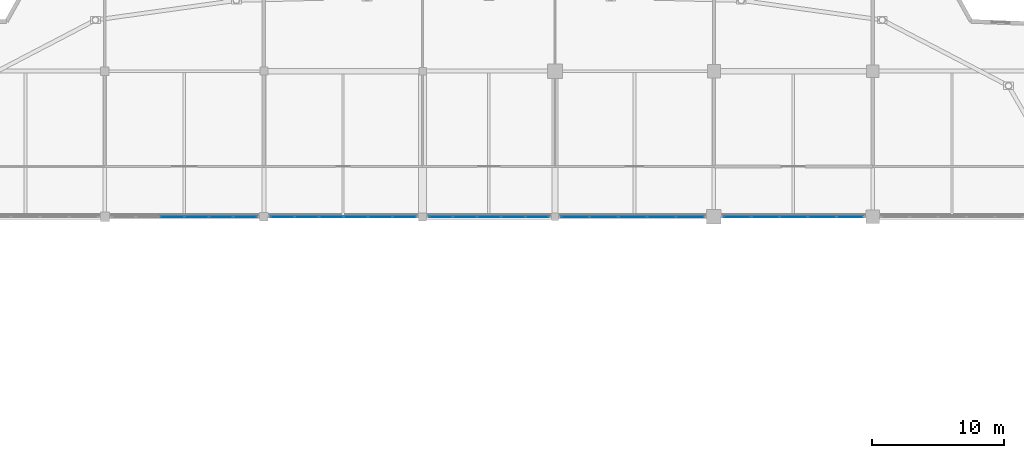
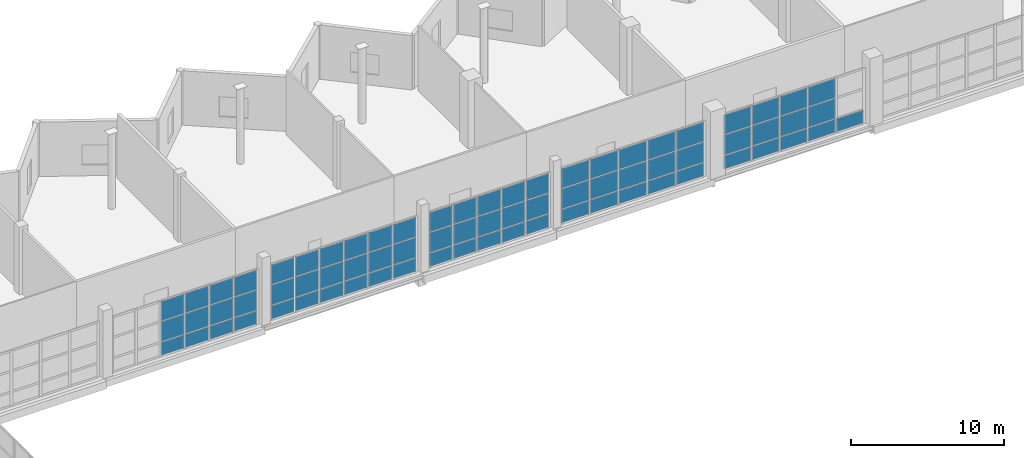
# One storey, part 34 of 49: 73 plates, 5 elements without a shape of their own.
"""IFC4 building model written with IfcOpenShell, lengths in metres."""

import ifcopenshell
import ifcopenshell.guid

model = None  # the IFC model being written
_history = None  # IfcOwnerHistory: only IFC2X3 demands one
_inside = {}  # id of a spatial element -> (the spatial element, [elements in it])
_under = {}  # id of a project, library or spatial element -> (it, [spatial elements below it])
_declared = {}  # id of a project -> (the project, [libraries it declares])
_typed = {}  # id of a type object -> (the type object, [elements of that type])
_made_of = {}  # id of a material, layer set ... -> (it, [elements and type objects made of it])


def new_model(schema):
    """Start an empty IFC model of exactly this schema.

    Asked for "IFC4X3", IfcOpenShell would pick the latest addendum, in which some entities
    have other attributes; the version numbers below select the first issue.
    IFC2X3 requires an IfcOwnerHistory on every rooted entity: one is made here for all.
    """
    global model, _history
    if schema == "IFC4X3":
        model = ifcopenshell.file(schema_version=(4, 3, 0, 0))
    else:
        model = ifcopenshell.file(schema=schema)
    _inside.clear()
    _under.clear()
    _declared.clear()
    _typed.clear()
    _made_of.clear()
    _history = None
    if model.schema == "IFC2X3":
        org = make("IfcOrganization", Name="unknown")
        user = make(
            "IfcPersonAndOrganization",
            ThePerson=make("IfcPerson", FamilyName="unknown"),
            TheOrganization=org,
        )
        app = make(
            "IfcApplication",
            ApplicationDeveloper=org,
            Version="unknown",
            ApplicationFullName="unknown",
            ApplicationIdentifier="unknown",
        )
        _history = make(
            "IfcOwnerHistory",
            OwningUser=user,
            OwningApplication=app,
            ChangeAction="ADDED",
            CreationDate=0,
        )
    return model


def make(cls, **values):
    """One entity of the class cls with the attributes given. An attribute that is None is left unset."""
    return model.create_entity(
        cls, **{name: value for name, value in values.items() if value is not None}
    )


def rooted(cls, **values):
    """An entity with a GlobalId (a new one), such as an element, a storey or a relation."""
    return make(cls, GlobalId=ifcopenshell.guid.new(), OwnerHistory=_history, **values)


def si_unit(unit_type, name, prefix=None):
    """IfcSIUnit, for example si_unit("LENGTHUNIT", "METRE", prefix="MILLI")."""
    return make("IfcSIUnit", UnitType=unit_type, Prefix=prefix, Name=name)


def assignment(units):
    """IfcUnitAssignment: the units of a project."""
    return None if units is None else make("IfcUnitAssignment", Units=units)


def point(xyz):
    """IfcCartesianPoint."""
    return None if xyz is None else make("IfcCartesianPoint", Coordinates=xyz)


def direction(xyz):
    """IfcDirection."""
    return None if xyz is None else make("IfcDirection", DirectionRatios=xyz)


def frame(location, z_axis=None, x_axis=None):
    """IfcAxis2Placement3D, a coordinate frame: its origin and axes. An axis left out is left unset."""
    return make(
        "IfcAxis2Placement3D",
        Location=point(location),
        Axis=direction(z_axis),
        RefDirection=direction(x_axis),
    )


def frame_2d(location, x_axis=None):
    """IfcAxis2Placement2D, a coordinate frame in the plane: its origin and x axis."""
    return make(
        "IfcAxis2Placement2D", Location=point(location), RefDirection=direction(x_axis)
    )


def origin():
    """The frame at (0, 0, 0) with its axes left unset."""
    return frame((0.0, 0.0, 0.0))


def origin_2d():
    """The frame at (0, 0) in the plane with its x axis left unset."""
    return frame_2d((0.0, 0.0))


def place(relative_to, where):
    """IfcLocalPlacement: puts the frame where relative to a parent placement (None: the world)."""
    return make(
        "IfcLocalPlacement", PlacementRelTo=relative_to, RelativePlacement=where
    )


def context(
    kind, dimensions, precision=None, world=None, true_north=None, identifier=None
):
    """IfcGeometricRepresentationContext, for example the 3D "Model" context."""
    return make(
        "IfcGeometricRepresentationContext",
        ContextIdentifier=identifier,
        ContextType=kind,
        CoordinateSpaceDimension=dimensions,
        Precision=precision,
        WorldCoordinateSystem=world,
        TrueNorth=true_north,
    )


def subcontext(parent, identifier, kind, view, scale=None):
    """IfcGeometricRepresentationSubContext, for example "Body" below "Model"."""
    return make(
        "IfcGeometricRepresentationSubContext",
        ContextIdentifier=identifier,
        ContextType=kind,
        ParentContext=parent,
        TargetScale=scale,
        TargetView=view,
    )


def project(units=None, contexts=None):
    """IfcProject with its units and contexts."""
    return rooted(
        "IfcProject",
        Name="project",
        RepresentationContexts=contexts,
        UnitsInContext=assignment(units),
    )


def spatial(cls, under=None, at=None, **own):
    """A site, building, storey or space (cls), placed at a placement, below another one or the project."""
    s = rooted(cls, ObjectPlacement=at, **own)
    if under is not None:
        _under.setdefault(under.id(), (under, []))[1].append(s)
    return s


def profile(cls, at=None, kind="AREA", **sizes):
    """A parametric profile (cls). Its sizes go by their IFC names, for example OverallWidth=200.0."""
    return make(cls, ProfileType=kind, Position=at, **sizes)


def rectangle(**sizes):
    """IfcRectangleProfileDef."""
    return profile("IfcRectangleProfileDef", **sizes)


def extrude(swept, where, along, depth):
    """IfcExtrudedAreaSolid: the profile swept, set in the frame where, extruded along a direction by depth."""
    return make(
        "IfcExtrudedAreaSolid",
        SweptArea=swept,
        Position=where,
        ExtrudedDirection=direction(along),
        Depth=depth,
    )


def shape(context_of_items, identifier, shape_type, items):
    """IfcShapeRepresentation: the items that make up one representation, for example the "Body"."""
    return make(
        "IfcShapeRepresentation",
        ContextOfItems=context_of_items,
        RepresentationIdentifier=identifier,
        RepresentationType=shape_type,
        Items=items,
    )


def material(Name=None, Category=None):
    """IfcMaterial."""
    return make("IfcMaterial", Name=Name, Category=Category)


def layer(
    of_material, thickness, ventilated=None, Name=None, Category=None, Priority=None
):
    """IfcMaterialLayer: one layer of a wall or slab, of a material (None: an air gap)."""
    return make(
        "IfcMaterialLayer",
        Material=of_material,
        LayerThickness=thickness,
        IsVentilated=ventilated,
        Name=Name,
        Category=Category,
        Priority=Priority,
    )


def layer_set(layers, Name=None):
    """IfcMaterialLayerSet."""
    return make("IfcMaterialLayerSet", MaterialLayers=layers, LayerSetName=Name)


def made_of(thing, what):
    """Note that an element or type object is made of a material, layer set ...; save() writes the relation."""
    if what is not None:
        _made_of.setdefault(what.id(), (what, []))[1].append(thing)
    return thing


def type_object(cls, material=None, **own):
    """A type object (cls), such as IfcWallType, which elements share."""
    return made_of(rooted(cls, **own), material)


def element(
    cls,
    number,
    at=None,
    inside=None,
    cuts=None,
    type_object=None,
    material=None,
    context=None,
    identifier="Body",
    shape_type=None,
    held_by="IfcProductDefinitionShape",
    body=None,
    shapes=None,
    **own,
):
    """One element of the class cls, such as IfcWall. Its Tag is "e" and its number.

    at: its placement. inside: the storey or other place that contains it. cuts: it is an
    opening in that element (IfcRelVoidsElement). A single representation is given by context,
    identifier, shape_type and body (its items); several are given by shapes. held_by: the class
    of the entity that holds the representations. save() writes the other relations.
    """
    e = rooted(cls, Tag="e%d" % number, ObjectPlacement=at, **own)
    if body is not None:
        shapes = [shape(context, identifier, shape_type, body)]
    if shapes is not None:
        e.Representation = make(held_by, Representations=shapes)
    if inside is not None:
        _inside.setdefault(inside.id(), (inside, []))[1].append(e)
    if cuts is not None:
        rooted(
            "IfcRelVoidsElement", RelatingBuildingElement=cuts, RelatedOpeningElement=e
        )
    if type_object is not None:
        _typed.setdefault(type_object.id(), (type_object, []))[1].append(e)
    return made_of(e, material)


def aggregate(whole, parts):
    """IfcRelAggregates: a whole, such as a stair, and the parts it consists of."""
    return rooted("IfcRelAggregates", RelatingObject=whole, RelatedObjects=parts)


def save(model, path):
    """Write the relations noted so far, then the file.

    IfcRelAggregates (storeys below a building ...), IfcRelContainedInSpatialStructure (elements
    in a storey), IfcRelDefinesByType, IfcRelAssociatesMaterial and IfcRelDeclares: one each for
    every whole, place, type object, material and project.
    """
    for whole, parts in _under.values():
        aggregate(whole, parts)
    for where, things in _inside.values():
        rooted(
            "IfcRelContainedInSpatialStructure",
            RelatedElements=things,
            RelatingStructure=where,
        )
    for kind, things in _typed.values():
        rooted("IfcRelDefinesByType", RelatedObjects=things, RelatingType=kind)
    for what, things in _made_of.values():
        rooted("IfcRelAssociatesMaterial", RelatedObjects=things, RelatingMaterial=what)
    for by, libraries in _declared.values():
        rooted("IfcRelDeclares", RelatingContext=by, RelatedDefinitions=libraries)
    model.write(path)


model = new_model("IFC4")

# Units and contexts
model_context = context("Model", 3, precision=1e-05, world=origin(), true_north=direction((0.0, 1.0)))
body_context = subcontext(model_context, "Body", "Model", "MODEL_VIEW")
ifc_project = project(units=[si_unit("LENGTHUNIT", "METRE"), si_unit("AREAUNIT", "SQUARE_METRE"), si_unit("VOLUMEUNIT", "CUBIC_METRE"), si_unit("PLANEANGLEUNIT", "RADIAN"), si_unit("MASSUNIT", "GRAM", prefix="KILO")], contexts=[model_context])

# Site, building, storey
site_placement = place(None, origin())
site = spatial("IfcSite", under=ifc_project, at=site_placement, CompositionType="ELEMENT")
building_placement = place(site_placement, origin())
building = spatial("IfcBuilding", under=site, at=building_placement, Name="Luwafu Chhajja Arena", CompositionType="ELEMENT")
storey_placement = place(building_placement, frame((0.0, 0.0, 24.300048828125)))
storey = spatial("IfcBuildingStorey", under=building, at=storey_placement, Name="L05", CompositionType="ELEMENT", Elevation=24.300048828125)

# Curtain wall, plates
ifc_material_1 = material(Name="Anodised bronze aluminium", Category="aluminium")
curtain_wall_type = type_object("IfcCurtainWallType", Name="VIP Club Terrace Curtain Wall", PredefinedType="USERDEFINED", material=ifc_material_1)
curtain_wall_1_placement = place(storey_placement, origin())
curtain_wall_1 = element("IfcCurtainWall", 1, at=curtain_wall_1_placement, inside=storey, type_object=curtain_wall_type, Name="L05 Bowl Viewing Curtain Wall CWR-L05-09", ObjectType="CURTAIN WALL", PredefinedType="USERDEFINED")
ifc_material_2 = material(Name="Solar-control laminated glass", Category="glass")
ifc_layer = layer(ifc_material_2, 0.035888671875, Name="Solar-control laminated glass")
ifc_layer_set = layer_set([ifc_layer], Name="Solar-control laminated glass")
plate_type = type_object("IfcPlateType", Name="Acoustic Broadcast Double Glazed CW Panel 36", PredefinedType="CURTAIN_PANEL", material=ifc_layer_set)
plate_1_placement = place(storey_placement, frame((75.092041015625, 77.0, 0.06494140625), z_axis=(0.0, 0.0, 1.0), x_axis=(1.0, 0.0, 0.0)))
plate_1 = element("IfcPlate", 2, at=plate_1_placement, type_object=plate_type, Name="CW-10 panel 3.1", PredefinedType="CURTAIN_PANEL", context=body_context, shape_type="SweptSolid", body=[
    extrude(rectangle(XDim=1.77587890625, YDim=0.035888671875, at=origin_2d()), origin(), (0.0, 0.0, 1.0), 1.052490234375),
])
plate_2_placement = place(storey_placement, frame((75.092041015625, 77.0, 1.182373046875), z_axis=(0.0, 0.0, 1.0), x_axis=(1.0, 0.0, 0.0)))
plate_2 = element("IfcPlate", 3, at=plate_2_placement, type_object=plate_type, Name="CW-10 panel 3.2", PredefinedType="CURTAIN_PANEL", context=body_context, shape_type="SweptSolid", body=[
    extrude(rectangle(XDim=1.77587890625, YDim=0.035888671875, at=origin_2d()), origin(), (0.0, 0.0, 1.0), 1.5849609375),
])
plate_3_placement = place(storey_placement, frame((75.092041015625, 77.0, 2.83251953125), z_axis=(0.0, 0.0, 1.0), x_axis=(1.0, 0.0, 0.0)))
plate_3 = element("IfcPlate", 4, at=plate_3_placement, type_object=plate_type, Name="CW-10 panel 3.3", PredefinedType="CURTAIN_PANEL", context=body_context, shape_type="SweptSolid", body=[
    extrude(rectangle(XDim=1.77587890625, YDim=0.035888671875, at=origin_2d()), origin(), (0.0, 0.0, 1.0), 1.552490234375),
])
plate_4_placement = place(storey_placement, frame((76.932861328125, 77.0, 0.06494140625), z_axis=(0.0, 0.0, 1.0), x_axis=(1.0, 0.0, 0.0)))
plate_4 = element("IfcPlate", 5, at=plate_4_placement, type_object=plate_type, Name="CW-10 panel 4.1", PredefinedType="CURTAIN_PANEL", context=body_context, shape_type="SweptSolid", body=[
    extrude(rectangle(XDim=1.77587890625, YDim=0.035888671875, at=origin_2d()), origin(), (0.0, 0.0, 1.0), 1.052490234375),
])
plate_5_placement = place(storey_placement, frame((76.932861328125, 77.0, 1.182373046875), z_axis=(0.0, 0.0, 1.0), x_axis=(1.0, 0.0, 0.0)))
plate_5 = element("IfcPlate", 6, at=plate_5_placement, type_object=plate_type, Name="CW-10 panel 4.2", PredefinedType="CURTAIN_PANEL", context=body_context, shape_type="SweptSolid", body=[
    extrude(rectangle(XDim=1.77587890625, YDim=0.035888671875, at=origin_2d()), origin(), (0.0, 0.0, 1.0), 1.5849609375),
])
plate_6_placement = place(storey_placement, frame((76.932861328125, 77.0, 2.83251953125), z_axis=(0.0, 0.0, 1.0), x_axis=(1.0, 0.0, 0.0)))
plate_6 = element("IfcPlate", 7, at=plate_6_placement, type_object=plate_type, Name="CW-10 panel 4.3", PredefinedType="CURTAIN_PANEL", context=body_context, shape_type="SweptSolid", body=[
    extrude(rectangle(XDim=1.77587890625, YDim=0.035888671875, at=origin_2d()), origin(), (0.0, 0.0, 1.0), 1.552490234375),
])
plate_7_placement = place(storey_placement, frame((78.773681640625, 77.0, 0.06494140625), z_axis=(0.0, 0.0, 1.0), x_axis=(1.0, 0.0, 0.0)))
plate_7 = element("IfcPlate", 8, at=plate_7_placement, type_object=plate_type, Name="CW-10 panel 5.1", PredefinedType="CURTAIN_PANEL", context=body_context, shape_type="SweptSolid", body=[
    extrude(rectangle(XDim=1.77587890625, YDim=0.035888671875, at=origin_2d()), origin(), (0.0, 0.0, 1.0), 1.052490234375),
])
plate_8_placement = place(storey_placement, frame((78.773681640625, 77.0, 1.182373046875), z_axis=(0.0, 0.0, 1.0), x_axis=(1.0, 0.0, 0.0)))
plate_8 = element("IfcPlate", 9, at=plate_8_placement, type_object=plate_type, Name="CW-10 panel 5.2", PredefinedType="CURTAIN_PANEL", context=body_context, shape_type="SweptSolid", body=[
    extrude(rectangle(XDim=1.77587890625, YDim=0.035888671875, at=origin_2d()), origin(), (0.0, 0.0, 1.0), 1.5849609375),
])
plate_9_placement = place(storey_placement, frame((78.773681640625, 77.0, 2.83251953125), z_axis=(0.0, 0.0, 1.0), x_axis=(1.0, 0.0, 0.0)))
plate_9 = element("IfcPlate", 10, at=plate_9_placement, type_object=plate_type, Name="CW-10 panel 5.3", PredefinedType="CURTAIN_PANEL", context=body_context, shape_type="SweptSolid", body=[
    extrude(rectangle(XDim=1.77587890625, YDim=0.035888671875, at=origin_2d()), origin(), (0.0, 0.0, 1.0), 1.552490234375),
])
plate_10_placement = place(storey_placement, frame((80.598388671875, 77.0, 0.06494140625), z_axis=(0.0, 0.0, 1.0), x_axis=(1.0, 0.0, 0.0)))
plate_10 = element("IfcPlate", 11, at=plate_10_placement, type_object=plate_type, Name="CW-10 panel 6.1", PredefinedType="CURTAIN_PANEL", context=body_context, shape_type="SweptSolid", body=[
    extrude(rectangle(XDim=1.743408203125, YDim=0.035888671875, at=origin_2d()), origin(), (0.0, 0.0, 1.0), 1.052490234375),
])
plate_11_placement = place(storey_placement, frame((80.598388671875, 77.0, 1.182373046875), z_axis=(0.0, 0.0, 1.0), x_axis=(1.0, 0.0, 0.0)))
plate_11 = element("IfcPlate", 12, at=plate_11_placement, type_object=plate_type, Name="CW-10 panel 6.2", PredefinedType="CURTAIN_PANEL", context=body_context, shape_type="SweptSolid", body=[
    extrude(rectangle(XDim=1.743408203125, YDim=0.035888671875, at=origin_2d()), origin(), (0.0, 0.0, 1.0), 1.5849609375),
])
plate_12_placement = place(storey_placement, frame((80.598388671875, 77.0, 2.83251953125), z_axis=(0.0, 0.0, 1.0), x_axis=(1.0, 0.0, 0.0)))
plate_12 = element("IfcPlate", 13, at=plate_12_placement, type_object=plate_type, Name="CW-10 panel 6.3", PredefinedType="CURTAIN_PANEL", context=body_context, shape_type="SweptSolid", body=[
    extrude(rectangle(XDim=1.743408203125, YDim=0.035888671875, at=origin_2d()), origin(), (0.0, 0.0, 1.0), 1.552490234375),
])
aggregate(curtain_wall_1, [plate_1, plate_2, plate_3, plate_4, plate_5, plate_6, plate_7, plate_8, plate_9, plate_10, plate_11, plate_12])

curtain_wall_2_placement = place(storey_placement, origin())
curtain_wall_2 = element("IfcCurtainWall", 14, at=curtain_wall_2_placement, inside=storey, type_object=curtain_wall_type, Name="L05 Bowl Viewing Curtain Wall CWR-L05-10", ObjectType="CURTAIN WALL", PredefinedType="USERDEFINED")
plate_13_placement = place(storey_placement, frame((83.40576171875, 77.0, 0.06494140625), z_axis=(0.0, 0.0, 1.0), x_axis=(1.0, 0.0, 0.0)))
plate_13 = element("IfcPlate", 15, at=plate_13_placement, type_object=plate_type, Name="CW-10 panel 1.1", PredefinedType="CURTAIN_PANEL", context=body_context, shape_type="SweptSolid", body=[
    extrude(rectangle(XDim=1.751708984375, YDim=0.035888671875, at=origin_2d()), origin(), (0.0, 0.0, 1.0), 1.052490234375),
])
plate_14_placement = place(storey_placement, frame((83.40576171875, 77.0, 1.182373046875), z_axis=(0.0, 0.0, 1.0), x_axis=(1.0, 0.0, 0.0)))
plate_14 = element("IfcPlate", 16, at=plate_14_placement, type_object=plate_type, Name="CW-10 panel 1.2", PredefinedType="CURTAIN_PANEL", context=body_context, shape_type="SweptSolid", body=[
    extrude(rectangle(XDim=1.751708984375, YDim=0.035888671875, at=origin_2d()), origin(), (0.0, 0.0, 1.0), 1.5849609375),
])
plate_15_placement = place(storey_placement, frame((83.40576171875, 77.0, 2.83251953125), z_axis=(0.0, 0.0, 1.0), x_axis=(1.0, 0.0, 0.0)))
plate_15 = element("IfcPlate", 17, at=plate_15_placement, type_object=plate_type, Name="CW-10 panel 1.3", PredefinedType="CURTAIN_PANEL", context=body_context, shape_type="SweptSolid", body=[
    extrude(rectangle(XDim=1.751708984375, YDim=0.035888671875, at=origin_2d()), origin(), (0.0, 0.0, 1.0), 1.552490234375),
])
plate_16_placement = place(storey_placement, frame((85.23876953125, 77.0, 0.06494140625), z_axis=(0.0, 0.0, 1.0), x_axis=(1.0, 0.0, 0.0)))
plate_16 = element("IfcPlate", 18, at=plate_16_placement, type_object=plate_type, Name="CW-10 panel 2.1", PredefinedType="CURTAIN_PANEL", context=body_context, shape_type="SweptSolid", body=[
    extrude(rectangle(XDim=1.7841796875, YDim=0.035888671875, at=origin_2d()), origin(), (0.0, 0.0, 1.0), 1.052490234375),
])
plate_17_placement = place(storey_placement, frame((85.23876953125, 77.0, 1.182373046875), z_axis=(0.0, 0.0, 1.0), x_axis=(1.0, 0.0, 0.0)))
plate_17 = element("IfcPlate", 19, at=plate_17_placement, type_object=plate_type, Name="CW-10 panel 2.2", PredefinedType="CURTAIN_PANEL", context=body_context, shape_type="SweptSolid", body=[
    extrude(rectangle(XDim=1.7841796875, YDim=0.035888671875, at=origin_2d()), origin(), (0.0, 0.0, 1.0), 1.5849609375),
])
plate_18_placement = place(storey_placement, frame((85.23876953125, 77.0, 2.83251953125), z_axis=(0.0, 0.0, 1.0), x_axis=(1.0, 0.0, 0.0)))
plate_18 = element("IfcPlate", 20, at=plate_18_placement, type_object=plate_type, Name="CW-10 panel 2.3", PredefinedType="CURTAIN_PANEL", context=body_context, shape_type="SweptSolid", body=[
    extrude(rectangle(XDim=1.7841796875, YDim=0.035888671875, at=origin_2d()), origin(), (0.0, 0.0, 1.0), 1.552490234375),
])
plate_19_placement = place(storey_placement, frame((87.087890625, 77.0, 0.06494140625), z_axis=(0.0, 0.0, 1.0), x_axis=(1.0, 0.0, 0.0)))
plate_19 = element("IfcPlate", 21, at=plate_19_placement, type_object=plate_type, Name="CW-10 panel 3.1", PredefinedType="CURTAIN_PANEL", context=body_context, shape_type="SweptSolid", body=[
    extrude(rectangle(XDim=1.7841796875, YDim=0.035888671875, at=origin_2d()), origin(), (0.0, 0.0, 1.0), 1.052490234375),
])
plate_20_placement = place(storey_placement, frame((87.087890625, 77.0, 1.182373046875), z_axis=(0.0, 0.0, 1.0), x_axis=(1.0, 0.0, 0.0)))
plate_20 = element("IfcPlate", 22, at=plate_20_placement, type_object=plate_type, Name="CW-10 panel 3.2", PredefinedType="CURTAIN_PANEL", context=body_context, shape_type="SweptSolid", body=[
    extrude(rectangle(XDim=1.7841796875, YDim=0.035888671875, at=origin_2d()), origin(), (0.0, 0.0, 1.0), 1.5849609375),
])
plate_21_placement = place(storey_placement, frame((87.087890625, 77.0, 2.83251953125), z_axis=(0.0, 0.0, 1.0), x_axis=(1.0, 0.0, 0.0)))
plate_21 = element("IfcPlate", 23, at=plate_21_placement, type_object=plate_type, Name="CW-10 panel 3.3", PredefinedType="CURTAIN_PANEL", context=body_context, shape_type="SweptSolid", body=[
    extrude(rectangle(XDim=1.7841796875, YDim=0.035888671875, at=origin_2d()), origin(), (0.0, 0.0, 1.0), 1.552490234375),
])
plate_22_placement = place(storey_placement, frame((88.93701171875, 77.0, 0.06494140625), z_axis=(0.0, 0.0, 1.0), x_axis=(1.0, 0.0, 0.0)))
plate_22 = element("IfcPlate", 24, at=plate_22_placement, type_object=plate_type, Name="CW-10 panel 4.1", PredefinedType="CURTAIN_PANEL", context=body_context, shape_type="SweptSolid", body=[
    extrude(rectangle(XDim=1.7841796875, YDim=0.035888671875, at=origin_2d()), origin(), (0.0, 0.0, 1.0), 1.052490234375),
])
plate_23_placement = place(storey_placement, frame((88.93701171875, 77.0, 1.182373046875), z_axis=(0.0, 0.0, 1.0), x_axis=(1.0, 0.0, 0.0)))
plate_23 = element("IfcPlate", 25, at=plate_23_placement, type_object=plate_type, Name="CW-10 panel 4.2", PredefinedType="CURTAIN_PANEL", context=body_context, shape_type="SweptSolid", body=[
    extrude(rectangle(XDim=1.7841796875, YDim=0.035888671875, at=origin_2d()), origin(), (0.0, 0.0, 1.0), 1.5849609375),
])
plate_24_placement = place(storey_placement, frame((88.93701171875, 77.0, 2.83251953125), z_axis=(0.0, 0.0, 1.0), x_axis=(1.0, 0.0, 0.0)))
plate_24 = element("IfcPlate", 26, at=plate_24_placement, type_object=plate_type, Name="CW-10 panel 4.3", PredefinedType="CURTAIN_PANEL", context=body_context, shape_type="SweptSolid", body=[
    extrude(rectangle(XDim=1.7841796875, YDim=0.035888671875, at=origin_2d()), origin(), (0.0, 0.0, 1.0), 1.552490234375),
])
plate_25_placement = place(storey_placement, frame((90.7861328125, 77.0, 0.06494140625), z_axis=(0.0, 0.0, 1.0), x_axis=(1.0, 0.0, 0.0)))
plate_25 = element("IfcPlate", 27, at=plate_25_placement, type_object=plate_type, Name="CW-10 panel 5.1", PredefinedType="CURTAIN_PANEL", context=body_context, shape_type="SweptSolid", body=[
    extrude(rectangle(XDim=1.7841796875, YDim=0.035888671875, at=origin_2d()), origin(), (0.0, 0.0, 1.0), 1.052490234375),
])
plate_26_placement = place(storey_placement, frame((90.7861328125, 77.0, 1.182373046875), z_axis=(0.0, 0.0, 1.0), x_axis=(1.0, 0.0, 0.0)))
plate_26 = element("IfcPlate", 28, at=plate_26_placement, type_object=plate_type, Name="CW-10 panel 5.2", PredefinedType="CURTAIN_PANEL", context=body_context, shape_type="SweptSolid", body=[
    extrude(rectangle(XDim=1.7841796875, YDim=0.035888671875, at=origin_2d()), origin(), (0.0, 0.0, 1.0), 1.5849609375),
])
plate_27_placement = place(storey_placement, frame((90.7861328125, 77.0, 2.83251953125), z_axis=(0.0, 0.0, 1.0), x_axis=(1.0, 0.0, 0.0)))
plate_27 = element("IfcPlate", 29, at=plate_27_placement, type_object=plate_type, Name="CW-10 panel 5.3", PredefinedType="CURTAIN_PANEL", context=body_context, shape_type="SweptSolid", body=[
    extrude(rectangle(XDim=1.7841796875, YDim=0.035888671875, at=origin_2d()), origin(), (0.0, 0.0, 1.0), 1.552490234375),
])
plate_28_placement = place(storey_placement, frame((92.619140625, 77.0, 0.06494140625), z_axis=(0.0, 0.0, 1.0), x_axis=(1.0, 0.0, 0.0)))
plate_28 = element("IfcPlate", 30, at=plate_28_placement, type_object=plate_type, Name="CW-10 panel 6.1", PredefinedType="CURTAIN_PANEL", context=body_context, shape_type="SweptSolid", body=[
    extrude(rectangle(XDim=1.751708984375, YDim=0.035888671875, at=origin_2d()), origin(), (0.0, 0.0, 1.0), 1.052490234375),
])
plate_29_placement = place(storey_placement, frame((92.619140625, 77.0, 1.182373046875), z_axis=(0.0, 0.0, 1.0), x_axis=(1.0, 0.0, 0.0)))
plate_29 = element("IfcPlate", 31, at=plate_29_placement, type_object=plate_type, Name="CW-10 panel 6.2", PredefinedType="CURTAIN_PANEL", context=body_context, shape_type="SweptSolid", body=[
    extrude(rectangle(XDim=1.751708984375, YDim=0.035888671875, at=origin_2d()), origin(), (0.0, 0.0, 1.0), 1.5849609375),
])
plate_30_placement = place(storey_placement, frame((92.619140625, 77.0, 2.83251953125), z_axis=(0.0, 0.0, 1.0), x_axis=(1.0, 0.0, 0.0)))
plate_30 = element("IfcPlate", 32, at=plate_30_placement, type_object=plate_type, Name="CW-10 panel 6.3", PredefinedType="CURTAIN_PANEL", context=body_context, shape_type="SweptSolid", body=[
    extrude(rectangle(XDim=1.751708984375, YDim=0.035888671875, at=origin_2d()), origin(), (0.0, 0.0, 1.0), 1.552490234375),
])
aggregate(curtain_wall_2, [plate_13, plate_14, plate_15, plate_16, plate_17, plate_18, plate_19, plate_20, plate_21, plate_22, plate_23, plate_24, plate_25, plate_26, plate_27, plate_28, plate_29, plate_30])

curtain_wall_3_placement = place(storey_placement, origin())
curtain_wall_3 = element("IfcCurtainWall", 33, at=curtain_wall_3_placement, inside=storey, type_object=curtain_wall_type, Name="L05 Bowl Viewing Curtain Wall CWR-L05-11", ObjectType="CURTAIN WALL", PredefinedType="USERDEFINED")
plate_31_placement = place(storey_placement, frame((95.370849609375, 77.0, 0.06494140625), z_axis=(0.0, 0.0, 1.0), x_axis=(1.0, 0.0, 0.0)))
plate_31 = element("IfcPlate", 34, at=plate_31_placement, type_object=plate_type, Name="CW-10 panel 1.1", PredefinedType="CURTAIN_PANEL", context=body_context, shape_type="SweptSolid", body=[
    extrude(rectangle(XDim=1.7314453125, YDim=0.035888671875, at=origin_2d()), origin(), (0.0, 0.0, 1.0), 1.052490234375),
])
plate_32_placement = place(storey_placement, frame((95.370849609375, 77.0, 1.182373046875), z_axis=(0.0, 0.0, 1.0), x_axis=(1.0, 0.0, 0.0)))
plate_32 = element("IfcPlate", 35, at=plate_32_placement, type_object=plate_type, Name="CW-10 panel 1.2", PredefinedType="CURTAIN_PANEL", context=body_context, shape_type="SweptSolid", body=[
    extrude(rectangle(XDim=1.7314453125, YDim=0.035888671875, at=origin_2d()), origin(), (0.0, 0.0, 1.0), 1.5849609375),
])
plate_33_placement = place(storey_placement, frame((95.370849609375, 77.0, 2.83251953125), z_axis=(0.0, 0.0, 1.0), x_axis=(1.0, 0.0, 0.0)))
plate_33 = element("IfcPlate", 36, at=plate_33_placement, type_object=plate_type, Name="CW-10 panel 1.3", PredefinedType="CURTAIN_PANEL", context=body_context, shape_type="SweptSolid", body=[
    extrude(rectangle(XDim=1.7314453125, YDim=0.035888671875, at=origin_2d()), origin(), (0.0, 0.0, 1.0), 1.552490234375),
])
plate_34_placement = place(storey_placement, frame((97.18359375, 77.0, 0.06494140625), z_axis=(0.0, 0.0, 1.0), x_axis=(1.0, 0.0, 0.0)))
plate_34 = element("IfcPlate", 37, at=plate_34_placement, type_object=plate_type, Name="CW-10 panel 2.1", PredefinedType="CURTAIN_PANEL", context=body_context, shape_type="SweptSolid", body=[
    extrude(rectangle(XDim=1.763916015625, YDim=0.035888671875, at=origin_2d()), origin(), (0.0, 0.0, 1.0), 1.052490234375),
])
plate_35_placement = place(storey_placement, frame((97.18359375, 77.0, 1.182373046875), z_axis=(0.0, 0.0, 1.0), x_axis=(1.0, 0.0, 0.0)))
plate_35 = element("IfcPlate", 38, at=plate_35_placement, type_object=plate_type, Name="CW-10 panel 2.2", PredefinedType="CURTAIN_PANEL", context=body_context, shape_type="SweptSolid", body=[
    extrude(rectangle(XDim=1.763916015625, YDim=0.035888671875, at=origin_2d()), origin(), (0.0, 0.0, 1.0), 1.5849609375),
])
plate_36_placement = place(storey_placement, frame((97.18359375, 77.0, 2.83251953125), z_axis=(0.0, 0.0, 1.0), x_axis=(1.0, 0.0, 0.0)))
plate_36 = element("IfcPlate", 39, at=plate_36_placement, type_object=plate_type, Name="CW-10 panel 2.3", PredefinedType="CURTAIN_PANEL", context=body_context, shape_type="SweptSolid", body=[
    extrude(rectangle(XDim=1.763916015625, YDim=0.035888671875, at=origin_2d()), origin(), (0.0, 0.0, 1.0), 1.552490234375),
])
plate_37_placement = place(storey_placement, frame((99.012451171875, 77.0, 0.06494140625), z_axis=(0.0, 0.0, 1.0), x_axis=(1.0, 0.0, 0.0)))
plate_37 = element("IfcPlate", 40, at=plate_37_placement, type_object=plate_type, Name="CW-10 panel 3.1", PredefinedType="CURTAIN_PANEL", context=body_context, shape_type="SweptSolid", body=[
    extrude(rectangle(XDim=1.763916015625, YDim=0.035888671875, at=origin_2d()), origin(), (0.0, 0.0, 1.0), 1.052490234375),
])
plate_38_placement = place(storey_placement, frame((99.012451171875, 77.0, 1.182373046875), z_axis=(0.0, 0.0, 1.0), x_axis=(1.0, 0.0, 0.0)))
plate_38 = element("IfcPlate", 41, at=plate_38_placement, type_object=plate_type, Name="CW-10 panel 3.2", PredefinedType="CURTAIN_PANEL", context=body_context, shape_type="SweptSolid", body=[
    extrude(rectangle(XDim=1.763916015625, YDim=0.035888671875, at=origin_2d()), origin(), (0.0, 0.0, 1.0), 1.5849609375),
])
plate_39_placement = place(storey_placement, frame((99.012451171875, 77.0, 2.83251953125), z_axis=(0.0, 0.0, 1.0), x_axis=(1.0, 0.0, 0.0)))
plate_39 = element("IfcPlate", 42, at=plate_39_placement, type_object=plate_type, Name="CW-10 panel 3.3", PredefinedType="CURTAIN_PANEL", context=body_context, shape_type="SweptSolid", body=[
    extrude(rectangle(XDim=1.763916015625, YDim=0.035888671875, at=origin_2d()), origin(), (0.0, 0.0, 1.0), 1.552490234375),
])
plate_40_placement = place(storey_placement, frame((100.841552734375, 77.0, 0.06494140625), z_axis=(0.0, 0.0, 1.0), x_axis=(1.0, 0.0, 0.0)))
plate_40 = element("IfcPlate", 43, at=plate_40_placement, type_object=plate_type, Name="CW-10 panel 4.1", PredefinedType="CURTAIN_PANEL", context=body_context, shape_type="SweptSolid", body=[
    extrude(rectangle(XDim=1.763916015625, YDim=0.035888671875, at=origin_2d()), origin(), (0.0, 0.0, 1.0), 1.052490234375),
])
plate_41_placement = place(storey_placement, frame((100.841552734375, 77.0, 1.182373046875), z_axis=(0.0, 0.0, 1.0), x_axis=(1.0, 0.0, 0.0)))
plate_41 = element("IfcPlate", 44, at=plate_41_placement, type_object=plate_type, Name="CW-10 panel 4.2", PredefinedType="CURTAIN_PANEL", context=body_context, shape_type="SweptSolid", body=[
    extrude(rectangle(XDim=1.763916015625, YDim=0.035888671875, at=origin_2d()), origin(), (0.0, 0.0, 1.0), 1.5849609375),
])
plate_42_placement = place(storey_placement, frame((100.841552734375, 77.0, 2.83251953125), z_axis=(0.0, 0.0, 1.0), x_axis=(1.0, 0.0, 0.0)))
plate_42 = element("IfcPlate", 45, at=plate_42_placement, type_object=plate_type, Name="CW-10 panel 4.3", PredefinedType="CURTAIN_PANEL", context=body_context, shape_type="SweptSolid", body=[
    extrude(rectangle(XDim=1.763916015625, YDim=0.035888671875, at=origin_2d()), origin(), (0.0, 0.0, 1.0), 1.552490234375),
])
plate_43_placement = place(storey_placement, frame((102.654296875, 77.0, 0.06494140625), z_axis=(0.0, 0.0, 1.0), x_axis=(1.0, 0.0, 0.0)))
plate_43 = element("IfcPlate", 46, at=plate_43_placement, type_object=plate_type, Name="CW-10 panel 5.1", PredefinedType="CURTAIN_PANEL", context=body_context, shape_type="SweptSolid", body=[
    extrude(rectangle(XDim=1.7314453125, YDim=0.035888671875, at=origin_2d()), origin(), (0.0, 0.0, 1.0), 1.052490234375),
])
plate_44_placement = place(storey_placement, frame((102.654296875, 77.0, 1.182373046875), z_axis=(0.0, 0.0, 1.0), x_axis=(1.0, 0.0, 0.0)))
plate_44 = element("IfcPlate", 47, at=plate_44_placement, type_object=plate_type, Name="CW-10 panel 5.2", PredefinedType="CURTAIN_PANEL", context=body_context, shape_type="SweptSolid", body=[
    extrude(rectangle(XDim=1.7314453125, YDim=0.035888671875, at=origin_2d()), origin(), (0.0, 0.0, 1.0), 1.5849609375),
])
plate_45_placement = place(storey_placement, frame((102.654296875, 77.0, 2.83251953125), z_axis=(0.0, 0.0, 1.0), x_axis=(1.0, 0.0, 0.0)))
plate_45 = element("IfcPlate", 48, at=plate_45_placement, type_object=plate_type, Name="CW-10 panel 5.3", PredefinedType="CURTAIN_PANEL", context=body_context, shape_type="SweptSolid", body=[
    extrude(rectangle(XDim=1.7314453125, YDim=0.035888671875, at=origin_2d()), origin(), (0.0, 0.0, 1.0), 1.552490234375),
])
aggregate(curtain_wall_3, [plate_31, plate_32, plate_33, plate_34, plate_35, plate_36, plate_37, plate_38, plate_39, plate_40, plate_41, plate_42, plate_43, plate_44, plate_45])

curtain_wall_4_placement = place(storey_placement, origin())
curtain_wall_4 = element("IfcCurtainWall", 49, at=curtain_wall_4_placement, inside=storey, type_object=curtain_wall_type, Name="L05 Bowl Viewing Curtain Wall CWR-L05-12", ObjectType="CURTAIN WALL", PredefinedType="USERDEFINED")
plate_46_placement = place(storey_placement, frame((105.520751953125, 77.0, 0.06494140625), z_axis=(0.0, 0.0, 1.0), x_axis=(1.0, 0.0, 0.0)))
plate_46 = element("IfcPlate", 50, at=plate_46_placement, type_object=plate_type, Name="CW-10 panel 1.1", PredefinedType="CURTAIN_PANEL", context=body_context, shape_type="SweptSolid", body=[
    extrude(rectangle(XDim=2.08154296875, YDim=0.035888671875, at=origin_2d()), origin(), (0.0, 0.0, 1.0), 1.052490234375),
])
plate_47_placement = place(storey_placement, frame((105.520751953125, 77.0, 1.182373046875), z_axis=(0.0, 0.0, 1.0), x_axis=(1.0, 0.0, 0.0)))
plate_47 = element("IfcPlate", 51, at=plate_47_placement, type_object=plate_type, Name="CW-10 panel 1.2", PredefinedType="CURTAIN_PANEL", context=body_context, shape_type="SweptSolid", body=[
    extrude(rectangle(XDim=2.08154296875, YDim=0.035888671875, at=origin_2d()), origin(), (0.0, 0.0, 1.0), 1.5849609375),
])
plate_48_placement = place(storey_placement, frame((105.520751953125, 77.0, 2.83251953125), z_axis=(0.0, 0.0, 1.0), x_axis=(1.0, 0.0, 0.0)))
plate_48 = element("IfcPlate", 52, at=plate_48_placement, type_object=plate_type, Name="CW-10 panel 1.3", PredefinedType="CURTAIN_PANEL", context=body_context, shape_type="SweptSolid", body=[
    extrude(rectangle(XDim=2.08154296875, YDim=0.035888671875, at=origin_2d()), origin(), (0.0, 0.0, 1.0), 1.552490234375),
])
plate_49_placement = place(storey_placement, frame((107.68359375, 77.0, 0.06494140625), z_axis=(0.0, 0.0, 1.0), x_axis=(1.0, 0.0, 0.0)))
plate_49 = element("IfcPlate", 53, at=plate_49_placement, type_object=plate_type, Name="CW-10 panel 2.1", PredefinedType="CURTAIN_PANEL", context=body_context, shape_type="SweptSolid", body=[
    extrude(rectangle(XDim=2.114013671875, YDim=0.035888671875, at=origin_2d()), origin(), (0.0, 0.0, 1.0), 1.052490234375),
])
plate_50_placement = place(storey_placement, frame((107.68359375, 77.0, 1.182373046875), z_axis=(0.0, 0.0, 1.0), x_axis=(1.0, 0.0, 0.0)))
plate_50 = element("IfcPlate", 54, at=plate_50_placement, type_object=plate_type, Name="CW-10 panel 2.2", PredefinedType="CURTAIN_PANEL", context=body_context, shape_type="SweptSolid", body=[
    extrude(rectangle(XDim=2.114013671875, YDim=0.035888671875, at=origin_2d()), origin(), (0.0, 0.0, 1.0), 1.5849609375),
])
plate_51_placement = place(storey_placement, frame((107.68359375, 77.0, 2.83251953125), z_axis=(0.0, 0.0, 1.0), x_axis=(1.0, 0.0, 0.0)))
plate_51 = element("IfcPlate", 55, at=plate_51_placement, type_object=plate_type, Name="CW-10 panel 2.3", PredefinedType="CURTAIN_PANEL", context=body_context, shape_type="SweptSolid", body=[
    extrude(rectangle(XDim=2.114013671875, YDim=0.035888671875, at=origin_2d()), origin(), (0.0, 0.0, 1.0), 1.552490234375),
])
plate_52_placement = place(storey_placement, frame((109.862548828125, 77.0, 0.06494140625), z_axis=(0.0, 0.0, 1.0), x_axis=(1.0, 0.0, 0.0)))
plate_52 = element("IfcPlate", 56, at=plate_52_placement, type_object=plate_type, Name="CW-10 panel 3.1", PredefinedType="CURTAIN_PANEL", context=body_context, shape_type="SweptSolid", body=[
    extrude(rectangle(XDim=2.114013671875, YDim=0.035888671875, at=origin_2d()), origin(), (0.0, 0.0, 1.0), 1.052490234375),
])
plate_53_placement = place(storey_placement, frame((109.862548828125, 77.0, 1.182373046875), z_axis=(0.0, 0.0, 1.0), x_axis=(1.0, 0.0, 0.0)))
plate_53 = element("IfcPlate", 57, at=plate_53_placement, type_object=plate_type, Name="CW-10 panel 3.2", PredefinedType="CURTAIN_PANEL", context=body_context, shape_type="SweptSolid", body=[
    extrude(rectangle(XDim=2.114013671875, YDim=0.035888671875, at=origin_2d()), origin(), (0.0, 0.0, 1.0), 1.5849609375),
])
plate_54_placement = place(storey_placement, frame((109.862548828125, 77.0, 2.83251953125), z_axis=(0.0, 0.0, 1.0), x_axis=(1.0, 0.0, 0.0)))
plate_54 = element("IfcPlate", 58, at=plate_54_placement, type_object=plate_type, Name="CW-10 panel 3.3", PredefinedType="CURTAIN_PANEL", context=body_context, shape_type="SweptSolid", body=[
    extrude(rectangle(XDim=2.114013671875, YDim=0.035888671875, at=origin_2d()), origin(), (0.0, 0.0, 1.0), 1.552490234375),
])
plate_55_placement = place(storey_placement, frame((112.04150390625, 77.0, 0.06494140625), z_axis=(0.0, 0.0, 1.0), x_axis=(1.0, 0.0, 0.0)))
plate_55 = element("IfcPlate", 59, at=plate_55_placement, type_object=plate_type, Name="CW-10 panel 4.1", PredefinedType="CURTAIN_PANEL", context=body_context, shape_type="SweptSolid", body=[
    extrude(rectangle(XDim=2.114013671875, YDim=0.035888671875, at=origin_2d()), origin(), (0.0, 0.0, 1.0), 1.052490234375),
])
plate_56_placement = place(storey_placement, frame((112.04150390625, 77.0, 1.182373046875), z_axis=(0.0, 0.0, 1.0), x_axis=(1.0, 0.0, 0.0)))
plate_56 = element("IfcPlate", 60, at=plate_56_placement, type_object=plate_type, Name="CW-10 panel 4.2", PredefinedType="CURTAIN_PANEL", context=body_context, shape_type="SweptSolid", body=[
    extrude(rectangle(XDim=2.114013671875, YDim=0.035888671875, at=origin_2d()), origin(), (0.0, 0.0, 1.0), 1.5849609375),
])
plate_57_placement = place(storey_placement, frame((112.04150390625, 77.0, 2.83251953125), z_axis=(0.0, 0.0, 1.0), x_axis=(1.0, 0.0, 0.0)))
plate_57 = element("IfcPlate", 61, at=plate_57_placement, type_object=plate_type, Name="CW-10 panel 4.3", PredefinedType="CURTAIN_PANEL", context=body_context, shape_type="SweptSolid", body=[
    extrude(rectangle(XDim=2.114013671875, YDim=0.035888671875, at=origin_2d()), origin(), (0.0, 0.0, 1.0), 1.552490234375),
])
plate_58_placement = place(storey_placement, frame((114.204345703125, 77.0, 0.06494140625), z_axis=(0.0, 0.0, 1.0), x_axis=(1.0, 0.0, 0.0)))
plate_58 = element("IfcPlate", 62, at=plate_58_placement, type_object=plate_type, Name="CW-10 panel 5.1", PredefinedType="CURTAIN_PANEL", context=body_context, shape_type="SweptSolid", body=[
    extrude(rectangle(XDim=2.08154296875, YDim=0.035888671875, at=origin_2d()), origin(), (0.0, 0.0, 1.0), 1.052490234375),
])
plate_59_placement = place(storey_placement, frame((114.204345703125, 77.0, 1.182373046875), z_axis=(0.0, 0.0, 1.0), x_axis=(1.0, 0.0, 0.0)))
plate_59 = element("IfcPlate", 63, at=plate_59_placement, type_object=plate_type, Name="CW-10 panel 5.2", PredefinedType="CURTAIN_PANEL", context=body_context, shape_type="SweptSolid", body=[
    extrude(rectangle(XDim=2.08154296875, YDim=0.035888671875, at=origin_2d()), origin(), (0.0, 0.0, 1.0), 1.5849609375),
])
plate_60_placement = place(storey_placement, frame((114.204345703125, 77.0, 2.83251953125), z_axis=(0.0, 0.0, 1.0), x_axis=(1.0, 0.0, 0.0)))
plate_60 = element("IfcPlate", 64, at=plate_60_placement, type_object=plate_type, Name="CW-10 panel 5.3", PredefinedType="CURTAIN_PANEL", context=body_context, shape_type="SweptSolid", body=[
    extrude(rectangle(XDim=2.08154296875, YDim=0.035888671875, at=origin_2d()), origin(), (0.0, 0.0, 1.0), 1.552490234375),
])
aggregate(curtain_wall_4, [plate_46, plate_47, plate_48, plate_49, plate_50, plate_51, plate_52, plate_53, plate_54, plate_55, plate_56, plate_57, plate_58, plate_59, plate_60])

curtain_wall_5_placement = place(storey_placement, origin())
curtain_wall_5 = element("IfcCurtainWall", 65, at=curtain_wall_5_placement, inside=storey, type_object=curtain_wall_type, Name="L05 Bowl Viewing Curtain Wall CWR-L05-13", ObjectType="CURTAIN WALL", PredefinedType="USERDEFINED")
plate_61_placement = place(storey_placement, frame((117.773193359375, 77.0, 0.06494140625), z_axis=(0.0, 0.0, 1.0), x_axis=(1.0, 0.0, 0.0)))
plate_61 = element("IfcPlate", 66, at=plate_61_placement, type_object=plate_type, Name="CW-10 panel 1.1", PredefinedType="CURTAIN_PANEL", context=body_context, shape_type="SweptSolid", body=[
    extrude(rectangle(XDim=2.03662109375, YDim=0.035888671875, at=origin_2d()), origin(), (0.0, 0.0, 1.0), 1.052490234375),
])
plate_62_placement = place(storey_placement, frame((117.773193359375, 77.0, 1.182373046875), z_axis=(0.0, 0.0, 1.0), x_axis=(1.0, 0.0, 0.0)))
plate_62 = element("IfcPlate", 67, at=plate_62_placement, type_object=plate_type, Name="CW-10 panel 1.2", PredefinedType="CURTAIN_PANEL", context=body_context, shape_type="SweptSolid", body=[
    extrude(rectangle(XDim=2.03662109375, YDim=0.035888671875, at=origin_2d()), origin(), (0.0, 0.0, 1.0), 1.5849609375),
])
plate_63_placement = place(storey_placement, frame((117.773193359375, 77.0, 2.83251953125), z_axis=(0.0, 0.0, 1.0), x_axis=(1.0, 0.0, 0.0)))
plate_63 = element("IfcPlate", 68, at=plate_63_placement, type_object=plate_type, Name="CW-10 panel 1.3", PredefinedType="CURTAIN_PANEL", context=body_context, shape_type="SweptSolid", body=[
    extrude(rectangle(XDim=2.03662109375, YDim=0.035888671875, at=origin_2d()), origin(), (0.0, 0.0, 1.0), 1.552490234375),
])
plate_64_placement = place(storey_placement, frame((119.89111328125, 77.0, 0.06494140625), z_axis=(0.0, 0.0, 1.0), x_axis=(1.0, 0.0, 0.0)))
plate_64 = element("IfcPlate", 69, at=plate_64_placement, type_object=plate_type, Name="CW-10 panel 2.1", PredefinedType="CURTAIN_PANEL", context=body_context, shape_type="SweptSolid", body=[
    extrude(rectangle(XDim=2.069091796875, YDim=0.035888671875, at=origin_2d()), origin(), (0.0, 0.0, 1.0), 1.052490234375),
])
plate_65_placement = place(storey_placement, frame((119.89111328125, 77.0, 1.182373046875), z_axis=(0.0, 0.0, 1.0), x_axis=(1.0, 0.0, 0.0)))
plate_65 = element("IfcPlate", 70, at=plate_65_placement, type_object=plate_type, Name="CW-10 panel 2.2", PredefinedType="CURTAIN_PANEL", context=body_context, shape_type="SweptSolid", body=[
    extrude(rectangle(XDim=2.069091796875, YDim=0.035888671875, at=origin_2d()), origin(), (0.0, 0.0, 1.0), 1.5849609375),
])
plate_66_placement = place(storey_placement, frame((119.89111328125, 77.0, 2.83251953125), z_axis=(0.0, 0.0, 1.0), x_axis=(1.0, 0.0, 0.0)))
plate_66 = element("IfcPlate", 71, at=plate_66_placement, type_object=plate_type, Name="CW-10 panel 2.3", PredefinedType="CURTAIN_PANEL", context=body_context, shape_type="SweptSolid", body=[
    extrude(rectangle(XDim=2.069091796875, YDim=0.035888671875, at=origin_2d()), origin(), (0.0, 0.0, 1.0), 1.552490234375),
])
plate_67_placement = place(storey_placement, frame((122.02490234375, 77.0, 0.06494140625), z_axis=(0.0, 0.0, 1.0), x_axis=(1.0, 0.0, 0.0)))
plate_67 = element("IfcPlate", 72, at=plate_67_placement, type_object=plate_type, Name="CW-10 panel 3.1", PredefinedType="CURTAIN_PANEL", context=body_context, shape_type="SweptSolid", body=[
    extrude(rectangle(XDim=2.069091796875, YDim=0.035888671875, at=origin_2d()), origin(), (0.0, 0.0, 1.0), 1.052490234375),
])
plate_68_placement = place(storey_placement, frame((122.02490234375, 77.0, 1.182373046875), z_axis=(0.0, 0.0, 1.0), x_axis=(1.0, 0.0, 0.0)))
plate_68 = element("IfcPlate", 73, at=plate_68_placement, type_object=plate_type, Name="CW-10 panel 3.2", PredefinedType="CURTAIN_PANEL", context=body_context, shape_type="SweptSolid", body=[
    extrude(rectangle(XDim=2.069091796875, YDim=0.035888671875, at=origin_2d()), origin(), (0.0, 0.0, 1.0), 1.5849609375),
])
plate_69_placement = place(storey_placement, frame((122.02490234375, 77.0, 2.83251953125), z_axis=(0.0, 0.0, 1.0), x_axis=(1.0, 0.0, 0.0)))
plate_69 = element("IfcPlate", 74, at=plate_69_placement, type_object=plate_type, Name="CW-10 panel 3.3", PredefinedType="CURTAIN_PANEL", context=body_context, shape_type="SweptSolid", body=[
    extrude(rectangle(XDim=2.069091796875, YDim=0.035888671875, at=origin_2d()), origin(), (0.0, 0.0, 1.0), 1.552490234375),
])
plate_70_placement = place(storey_placement, frame((124.158935546875, 77.0, 0.06494140625), z_axis=(0.0, 0.0, 1.0), x_axis=(1.0, 0.0, 0.0)))
plate_70 = element("IfcPlate", 75, at=plate_70_placement, type_object=plate_type, Name="CW-10 panel 4.1", PredefinedType="CURTAIN_PANEL", context=body_context, shape_type="SweptSolid", body=[
    extrude(rectangle(XDim=2.069091796875, YDim=0.035888671875, at=origin_2d()), origin(), (0.0, 0.0, 1.0), 1.052490234375),
])
plate_71_placement = place(storey_placement, frame((124.158935546875, 77.0, 1.182373046875), z_axis=(0.0, 0.0, 1.0), x_axis=(1.0, 0.0, 0.0)))
plate_71 = element("IfcPlate", 76, at=plate_71_placement, type_object=plate_type, Name="CW-10 panel 4.2", PredefinedType="CURTAIN_PANEL", context=body_context, shape_type="SweptSolid", body=[
    extrude(rectangle(XDim=2.069091796875, YDim=0.035888671875, at=origin_2d()), origin(), (0.0, 0.0, 1.0), 1.5849609375),
])
plate_72_placement = place(storey_placement, frame((124.158935546875, 77.0, 2.83251953125), z_axis=(0.0, 0.0, 1.0), x_axis=(1.0, 0.0, 0.0)))
plate_72 = element("IfcPlate", 77, at=plate_72_placement, type_object=plate_type, Name="CW-10 panel 4.3", PredefinedType="CURTAIN_PANEL", context=body_context, shape_type="SweptSolid", body=[
    extrude(rectangle(XDim=2.069091796875, YDim=0.035888671875, at=origin_2d()), origin(), (0.0, 0.0, 1.0), 1.552490234375),
])
plate_73_placement = place(storey_placement, frame((126.27685546875, 77.0, 0.06494140625), z_axis=(0.0, 0.0, 1.0), x_axis=(1.0, 0.0, 0.0)))
plate_73 = element("IfcPlate", 78, at=plate_73_placement, type_object=plate_type, Name="CW-10 panel 5.1", PredefinedType="CURTAIN_PANEL", context=body_context, shape_type="SweptSolid", body=[
    extrude(rectangle(XDim=2.03662109375, YDim=0.035888671875, at=origin_2d()), origin(), (0.0, 0.0, 1.0), 1.052490234375),
])
aggregate(curtain_wall_5, [plate_61, plate_62, plate_63, plate_64, plate_65, plate_66, plate_67, plate_68, plate_69, plate_70, plate_71, plate_72, plate_73])

save(model, "model.ifc")
